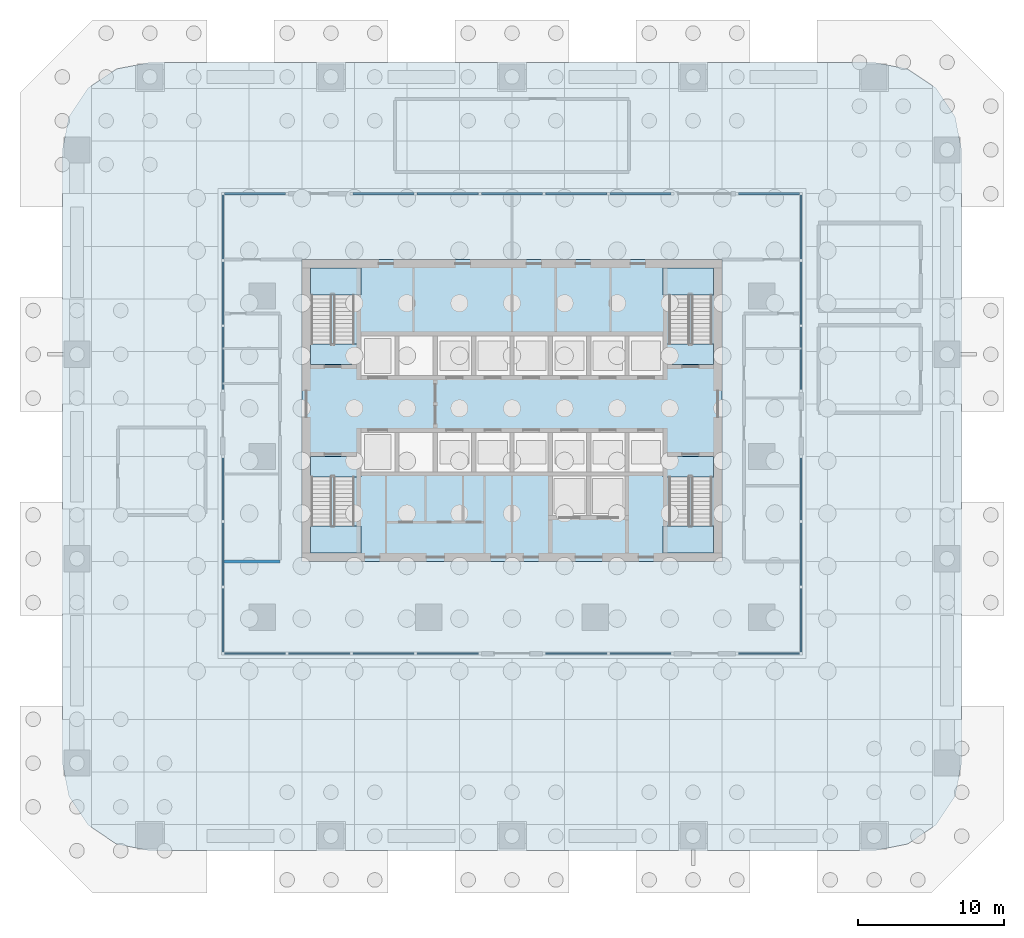
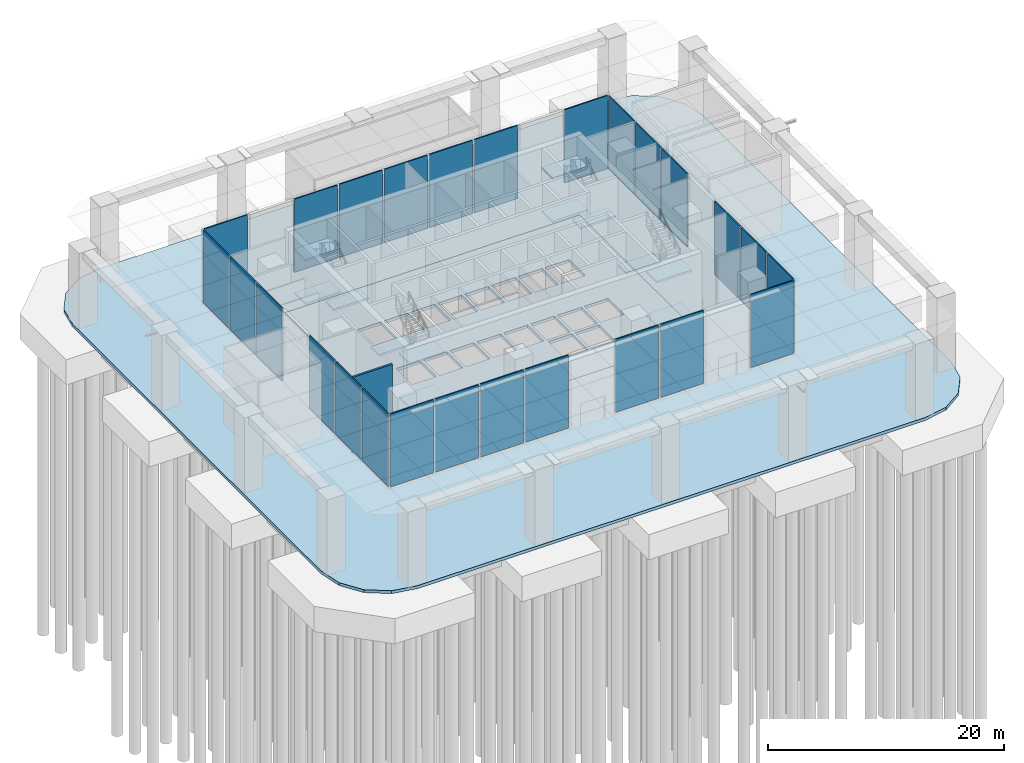
# One storey, part 5 of 18: 26 plates, 14 slabs, 1 wall, 14 elements without a shape of their own.
"""IFC4 building model written with IfcOpenShell, lengths in metres."""

from ifc_helpers import new_model, si_unit, direction, frame, frame_2d, origin, origin_2d, place, context, subcontext, project, spatial, polyline, rectangle, outline, extrude, material, layer, layer_set, type_object, element, aggregate, save


model = new_model("IFC4")

# Units and contexts
model_context = context("Model", 3, precision=1e-05, world=origin(), true_north=direction((0.0, 1.0)))
body_context = subcontext(model_context, "Body", "Model", "MODEL_VIEW")
ifc_project = project(units=[si_unit("LENGTHUNIT", "METRE"), si_unit("AREAUNIT", "SQUARE_METRE"), si_unit("VOLUMEUNIT", "CUBIC_METRE"), si_unit("PLANEANGLEUNIT", "RADIAN"), si_unit("MASSUNIT", "GRAM", prefix="KILO")], contexts=[model_context])

# Site, building, storey
site_placement = place(None, origin())
site = spatial("IfcSite", under=ifc_project, at=site_placement, CompositionType="ELEMENT")
building_placement = place(site_placement, origin())
building = spatial("IfcBuilding", under=site, at=building_placement, Name="Mopane Tessera Tower", CompositionType="ELEMENT")
storey_placement = place(building_placement, origin())
storey = spatial("IfcBuildingStorey", under=building, at=storey_placement, Name="L00", CompositionType="ELEMENT", Elevation=0.0)

# Slab
ifc_material_1 = material(Name="Concrete C40/50", Category="concrete")
ifc_layer_1 = layer(ifc_material_1, 0.300048828125)
ifc_layer_set_1 = layer_set([ifc_layer_1], Name="Concrete C40/50")
slab_type_1 = type_object("IfcSlabType", Name="Core floor slab 300 mm", PredefinedType="FLOOR", material=ifc_layer_set_1)
slab_1_placement = place(storey_placement, frame((0.0, 0.0, -0.300048828125)))
element("IfcSlab", 1, at=slab_1_placement, inside=storey, type_object=slab_type_1, Name="L00 core floor slab", PredefinedType="FLOOR", context=body_context, shape_type="SweptSolid", body=[
    extrude(outline(polyline([(-14.39990234375, -7.199951171875), (14.39990234375, -7.199951171875), (14.39990234375, 13.5), (-14.39990234375, 13.5), (-14.39990234375, -7.199951171875)]), holes=[polyline([(-10.35009765625, -1.050048828125), (-8.02490234375, -1.050048828125), (-8.02490234375, 1.64990234375), (-10.35009765625, 1.64990234375), (-10.35009765625, -1.050048828125)]), polyline([(-7.72509765625, -1.050048828125), (-5.39990234375, -1.050048828125), (-5.39990234375, 1.64990234375), (-7.72509765625, 1.64990234375), (-7.72509765625, -1.050048828125)]), polyline([(-5.10009765625, -1.050048828125), (-2.77490234375, -1.050048828125), (-2.77490234375, 1.64990234375), (-5.10009765625, 1.64990234375), (-5.10009765625, -1.050048828125)]), polyline([(-2.47509765625, -1.050048828125), (-0.14990234375, -1.050048828125), (-0.14990234375, 1.64990234375), (-2.47509765625, 1.64990234375), (-2.47509765625, -1.050048828125)]), polyline([(0.14990234375, -1.050048828125), (2.47509765625, -1.050048828125), (2.47509765625, 1.64990234375), (0.14990234375, 1.64990234375), (0.14990234375, -1.050048828125)]), polyline([(2.77490234375, -1.050048828125), (5.10009765625, -1.050048828125), (5.10009765625, 1.64990234375), (2.77490234375, 1.64990234375), (2.77490234375, -1.050048828125)]), polyline([(5.39990234375, -1.050048828125), (7.72509765625, -1.050048828125), (7.72509765625, 1.64990234375), (5.39990234375, 1.64990234375), (5.39990234375, -1.050048828125)]), polyline([(8.02490234375, -1.050048828125), (10.35009765625, -1.050048828125), (10.35009765625, 1.64990234375), (8.02490234375, 1.64990234375), (8.02490234375, -1.050048828125)]), polyline([(-10.35009765625, 5.550048828125), (-8.02490234375, 5.550048828125), (-8.02490234375, 8.25), (-10.35009765625, 8.25), (-10.35009765625, 5.550048828125)]), polyline([(-7.72509765625, 5.550048828125), (-5.39990234375, 5.550048828125), (-5.39990234375, 8.25), (-7.72509765625, 8.25), (-7.72509765625, 5.550048828125)]), polyline([(-5.10009765625, 5.550048828125), (-2.77490234375, 5.550048828125), (-2.77490234375, 8.25), (-5.10009765625, 8.25), (-5.10009765625, 5.550048828125)]), polyline([(-2.47509765625, 5.550048828125), (-0.14990234375, 5.550048828125), (-0.14990234375, 8.25), (-2.47509765625, 8.25), (-2.47509765625, 5.550048828125)]), polyline([(0.14990234375, 5.550048828125), (2.47509765625, 5.550048828125), (2.47509765625, 8.25), (0.14990234375, 8.25), (0.14990234375, 5.550048828125)]), polyline([(2.77490234375, 5.550048828125), (5.10009765625, 5.550048828125), (5.10009765625, 8.25), (2.77490234375, 8.25), (2.77490234375, 5.550048828125)]), polyline([(5.39990234375, 5.550048828125), (7.72509765625, 5.550048828125), (7.72509765625, 8.25), (5.39990234375, 8.25), (5.39990234375, 5.550048828125)]), polyline([(8.02490234375, 5.550048828125), (10.35009765625, 5.550048828125), (10.35009765625, 8.25), (8.02490234375, 8.25), (8.02490234375, 5.550048828125)]), polyline([(2.77490234375, -4.050048828125), (5.10009765625, -4.050048828125), (5.10009765625, -1.35009765625), (2.77490234375, -1.35009765625), (2.77490234375, -4.050048828125)]), polyline([(5.39990234375, -4.050048828125), (7.72509765625, -4.050048828125), (7.72509765625, -1.35009765625), (5.39990234375, -1.35009765625), (5.39990234375, -4.050048828125)])]), origin(), (0.0, 0.0, 1.0), 0.300048828125),
])

# Stair, slabs
ifc_material_2 = material(Name="Concrete C50/60", Category="concrete")
stair_type = type_object("IfcStairType", Name="Escape stair 1400 mm, riser 173 mm", PredefinedType="HALF_TURN_STAIR", material=ifc_material_2)
stair_1_placement = place(storey_placement, origin())
stair_1 = element("IfcStair", 2, at=stair_1_placement, inside=storey, type_object=stair_type, Name="L00 Escape stair south-west", PredefinedType="HALF_TURN_STAIR")
ifc_material_3 = material(Name="Concrete C50/60", Category="concrete")
ifc_layer_2 = layer(ifc_material_3, 0.199951171875)
ifc_layer_set_2 = layer_set([ifc_layer_2], Name="Concrete C50/60")
slab_type_2 = type_object("IfcSlabType", Name="Escape stair landing 200 mm", PredefinedType="LANDING", material=ifc_layer_set_2)
slab_2_placement = place(storey_placement, frame((0.0, 0.0, 2.050048828125)))
slab_2 = element("IfcSlab", 3, at=slab_2_placement, type_object=slab_type_2, Name="ST1 landing 1", PredefinedType="LANDING", context=body_context, shape_type="SweptSolid", body=[
    extrude(outline(polyline([(-13.800048828125, -4.760009765625), (-13.800048828125, -6.60009765625), (-10.35009765625, -6.60009765625), (-10.35009765625, -4.760009765625), (-13.800048828125, -4.760009765625)])), origin(), (0.0, 0.0, 1.0), 0.199951171875),
])
slab_3_placement = place(storey_placement, frame((0.0, 0.0, 4.300048828125)))
slab_3 = element("IfcSlab", 4, at=slab_3_placement, type_object=slab_type_2, Name="ST1 landing 2", PredefinedType="LANDING", context=body_context, shape_type="SweptSolid", body=[
    extrude(outline(polyline([(-13.800048828125, 0.0), (-13.800048828125, -1.39990234375), (-10.35009765625, -1.39990234375), (-10.35009765625, 0.0), (-13.800048828125, 0.0)])), origin(), (0.0, 0.0, 1.0), 0.199951171875),
])
slab_4_placement = place(storey_placement, frame((0.0, 0.0, 6.550048828125)))
slab_4 = element("IfcSlab", 5, at=slab_4_placement, type_object=slab_type_2, Name="ST1 landing 3", PredefinedType="LANDING", context=body_context, shape_type="SweptSolid", body=[
    extrude(outline(polyline([(-13.800048828125, -4.760009765625), (-13.800048828125, -6.60009765625), (-10.35009765625, -6.60009765625), (-10.35009765625, -4.760009765625), (-13.800048828125, -4.760009765625)])), origin(), (0.0, 0.0, 1.0), 0.199951171875),
])
aggregate(stair_1, [slab_2, slab_3, slab_4])

stair_2_placement = place(storey_placement, origin())
stair_2 = element("IfcStair", 6, at=stair_2_placement, inside=storey, type_object=stair_type, Name="L00 Escape stair north-west", PredefinedType="HALF_TURN_STAIR")
slab_5_placement = place(storey_placement, frame((0.0, 0.0, 2.050048828125)))
slab_5 = element("IfcSlab", 7, at=slab_5_placement, type_object=slab_type_2, Name="ST2 landing 1", PredefinedType="LANDING", context=body_context, shape_type="SweptSolid", body=[
    extrude(outline(polyline([(-10.35009765625, 11.06005859375), (-10.35009765625, 12.89990234375), (-13.800048828125, 12.89990234375), (-13.800048828125, 11.06005859375), (-10.35009765625, 11.06005859375)])), origin(), (0.0, 0.0, 1.0), 0.199951171875),
])
slab_6_placement = place(storey_placement, frame((0.0, 0.0, 4.300048828125)))
slab_6 = element("IfcSlab", 8, at=slab_6_placement, type_object=slab_type_2, Name="ST2 landing 2", PredefinedType="LANDING", context=body_context, shape_type="SweptSolid", body=[
    extrude(outline(polyline([(-10.35009765625, 6.300048828125), (-10.35009765625, 7.699951171875), (-13.800048828125, 7.699951171875), (-13.800048828125, 6.300048828125), (-10.35009765625, 6.300048828125)])), origin(), (0.0, 0.0, 1.0), 0.199951171875),
])
slab_7_placement = place(storey_placement, frame((0.0, 0.0, 6.550048828125)))
slab_7 = element("IfcSlab", 9, at=slab_7_placement, type_object=slab_type_2, Name="ST2 landing 3", PredefinedType="LANDING", context=body_context, shape_type="SweptSolid", body=[
    extrude(outline(polyline([(-10.35009765625, 11.06005859375), (-10.35009765625, 12.89990234375), (-13.800048828125, 12.89990234375), (-13.800048828125, 11.06005859375), (-10.35009765625, 11.06005859375)])), origin(), (0.0, 0.0, 1.0), 0.199951171875),
])
aggregate(stair_2, [slab_5, slab_6, slab_7])

stair_3_placement = place(storey_placement, origin())
stair_3 = element("IfcStair", 10, at=stair_3_placement, inside=storey, type_object=stair_type, Name="L00 Escape stair south-east", PredefinedType="HALF_TURN_STAIR")
slab_8_placement = place(storey_placement, frame((0.0, 0.0, 2.050048828125)))
slab_8 = element("IfcSlab", 11, at=slab_8_placement, type_object=slab_type_2, Name="ST3 landing 1", PredefinedType="LANDING", context=body_context, shape_type="SweptSolid", body=[
    extrude(outline(polyline([(10.35009765625, -4.760009765625), (10.35009765625, -6.60009765625), (13.800048828125, -6.60009765625), (13.800048828125, -4.760009765625), (10.35009765625, -4.760009765625)])), origin(), (0.0, 0.0, 1.0), 0.199951171875),
])
slab_9_placement = place(storey_placement, frame((0.0, 0.0, 4.300048828125)))
slab_9 = element("IfcSlab", 12, at=slab_9_placement, type_object=slab_type_2, Name="ST3 landing 2", PredefinedType="LANDING", context=body_context, shape_type="SweptSolid", body=[
    extrude(outline(polyline([(10.35009765625, 0.0), (10.35009765625, -1.39990234375), (13.800048828125, -1.39990234375), (13.800048828125, 0.0), (10.35009765625, 0.0)])), origin(), (0.0, 0.0, 1.0), 0.199951171875),
])
slab_10_placement = place(storey_placement, frame((0.0, 0.0, 6.550048828125)))
slab_10 = element("IfcSlab", 13, at=slab_10_placement, type_object=slab_type_2, Name="ST3 landing 3", PredefinedType="LANDING", context=body_context, shape_type="SweptSolid", body=[
    extrude(outline(polyline([(10.35009765625, -4.760009765625), (10.35009765625, -6.60009765625), (13.800048828125, -6.60009765625), (13.800048828125, -4.760009765625), (10.35009765625, -4.760009765625)])), origin(), (0.0, 0.0, 1.0), 0.199951171875),
])
aggregate(stair_3, [slab_8, slab_9, slab_10])

stair_4_placement = place(storey_placement, origin())
stair_4 = element("IfcStair", 14, at=stair_4_placement, inside=storey, type_object=stair_type, Name="L00 Escape stair north-east", PredefinedType="HALF_TURN_STAIR")
slab_11_placement = place(storey_placement, frame((0.0, 0.0, 2.050048828125)))
slab_11 = element("IfcSlab", 15, at=slab_11_placement, type_object=slab_type_2, Name="ST4 landing 1", PredefinedType="LANDING", context=body_context, shape_type="SweptSolid", body=[
    extrude(outline(polyline([(13.800048828125, 11.06005859375), (13.800048828125, 12.89990234375), (10.35009765625, 12.89990234375), (10.35009765625, 11.06005859375), (13.800048828125, 11.06005859375)])), origin(), (0.0, 0.0, 1.0), 0.199951171875),
])
slab_12_placement = place(storey_placement, frame((0.0, 0.0, 4.300048828125)))
slab_12 = element("IfcSlab", 16, at=slab_12_placement, type_object=slab_type_2, Name="ST4 landing 2", PredefinedType="LANDING", context=body_context, shape_type="SweptSolid", body=[
    extrude(outline(polyline([(13.800048828125, 6.300048828125), (13.800048828125, 7.699951171875), (10.35009765625, 7.699951171875), (10.35009765625, 6.300048828125), (13.800048828125, 6.300048828125)])), origin(), (0.0, 0.0, 1.0), 0.199951171875),
])
slab_13_placement = place(storey_placement, frame((0.0, 0.0, 6.550048828125)))
slab_13 = element("IfcSlab", 17, at=slab_13_placement, type_object=slab_type_2, Name="ST4 landing 3", PredefinedType="LANDING", context=body_context, shape_type="SweptSolid", body=[
    extrude(outline(polyline([(13.800048828125, 11.06005859375), (13.800048828125, 12.89990234375), (10.35009765625, 12.89990234375), (10.35009765625, 11.06005859375), (13.800048828125, 11.06005859375)])), origin(), (0.0, 0.0, 1.0), 0.199951171875),
])
aggregate(stair_4, [slab_11, slab_12, slab_13])

# Slab
ifc_material_4 = material(Name="Concrete C40/50", Category="concrete")
ifc_layer_3 = layer(ifc_material_4, 0.300048828125)
ifc_layer_set_3 = layer_set([ifc_layer_3], Name="Concrete C40/50")
slab_type_3 = type_object("IfcSlabType", Name="Ground slab on grade 300 mm", PredefinedType="BASESLAB", material=ifc_layer_set_3)
slab_14_placement = place(storey_placement, frame((0.0, 0.0, -0.300048828125)))
element("IfcSlab", 18, at=slab_14_placement, inside=storey, type_object=slab_type_3, Name="Floor slab L00", PredefinedType="BASESLAB", context=body_context, shape_type="SweptSolid", body=[
    extrude(outline(polyline([(-24.800048828125, -27.0), (24.800048828125, -27.0), (27.09619140625, -26.543212890625), (29.042724609375, -25.24267578125), (30.34326171875, -23.296142578125), (30.800048828125, -21.0), (30.800048828125, 21.0), (30.34326171875, 23.296142578125), (29.042724609375, 25.24267578125), (27.09619140625, 26.543212890625), (24.800048828125, 27.0), (-24.800048828125, 27.0), (-27.09619140625, 26.543212890625), (-29.042724609375, 25.24267578125), (-30.34326171875, 23.296142578125), (-30.800048828125, 21.0), (-30.800048828125, -21.0), (-30.34326171875, -23.296142578125), (-29.042724609375, -25.24267578125), (-27.09619140625, -26.543212890625), (-24.800048828125, -27.0)]), holes=[polyline([(14.39990234375, -7.199951171875), (-14.39990234375, -7.199951171875), (-14.39990234375, 13.5), (14.39990234375, 13.5), (14.39990234375, -7.199951171875)])]), origin(), (0.0, 0.0, 1.0), 0.300048828125),
])

# Curtain wall, plates
ifc_material_5 = material(Name="Aluminium frame", Category="aluminium")
curtain_wall_type = type_object("IfcCurtainWallType", Name="Stilt pavilion glazed wall", PredefinedType="NOTDEFINED", material=ifc_material_5)
curtain_wall_1_placement = place(storey_placement, origin())
curtain_wall_1 = element("IfcCurtainWall", 19, at=curtain_wall_1_placement, inside=storey, type_object=curtain_wall_type, Name="e:pv:S:0", PredefinedType="NOTDEFINED")
ifc_material_6 = material(Name="Clear laminated glass", Category="glass")
ifc_layer_4 = layer(ifc_material_6, 0.1201171875)
ifc_layer_set_4 = layer_set([ifc_layer_4], Name="Clear laminated glass")
plate_type = type_object("IfcPlateType", Name="Laminated glazed unit 120", PredefinedType="CURTAIN_PANEL", material=ifc_layer_set_4)
plate_1_placement = place(storey_placement, frame((-17.60009765625, -13.5, 0.25), z_axis=(0.0, 0.0, 1.0), x_axis=(1.0, 0.0, 0.0)))
plate_1 = element("IfcPlate", 20, at=plate_1_placement, type_object=plate_type, Name="e:pv:S:0:pn0", PredefinedType="CURTAIN_PANEL", context=body_context, shape_type="SweptSolid", body=[
    extrude(rectangle(XDim=4.199951171875, YDim=0.1201171875, at=origin_2d()), origin(), (0.0, 0.0, 1.0), 7.550048828125),
])
plate_2_placement = place(storey_placement, frame((-13.199951171875, -13.5, 0.25), z_axis=(0.0, 0.0, 1.0), x_axis=(1.0, 0.0, 0.0)))
plate_2 = element("IfcPlate", 21, at=plate_2_placement, type_object=plate_type, Name="e:pv:S:0:pn1", PredefinedType="CURTAIN_PANEL", context=body_context, shape_type="SweptSolid", body=[
    extrude(rectangle(XDim=4.199951171875, YDim=0.1201171875, at=origin_2d()), origin(), (0.0, 0.0, 1.0), 7.550048828125),
])
plate_3_placement = place(storey_placement, frame((-8.800048828125, -13.5, 0.25), z_axis=(0.0, 0.0, 1.0), x_axis=(1.0, 0.0, 0.0)))
plate_3 = element("IfcPlate", 22, at=plate_3_placement, type_object=plate_type, Name="e:pv:S:0:pn2", PredefinedType="CURTAIN_PANEL", context=body_context, shape_type="SweptSolid", body=[
    extrude(rectangle(XDim=4.199951171875, YDim=0.1201171875, at=origin_2d()), origin(), (0.0, 0.0, 1.0), 7.550048828125),
])
plate_4_placement = place(storey_placement, frame((-4.39990234375, -13.5, 0.25), z_axis=(0.0, 0.0, 1.0), x_axis=(1.0, 0.0, 0.0)))
plate_4 = element("IfcPlate", 23, at=plate_4_placement, type_object=plate_type, Name="e:pv:S:0:pn3", PredefinedType="CURTAIN_PANEL", context=body_context, shape_type="SweptSolid", body=[
    extrude(rectangle(XDim=4.199951171875, YDim=0.1201171875, at=origin_2d()), origin(), (0.0, 0.0, 1.0), 7.550048828125),
])
aggregate(curtain_wall_1, [plate_1, plate_2, plate_3, plate_4])

curtain_wall_2_placement = place(storey_placement, origin())
curtain_wall_2 = element("IfcCurtainWall", 24, at=curtain_wall_2_placement, inside=storey, type_object=curtain_wall_type, Name="e:pv:S:5", PredefinedType="NOTDEFINED")
plate_5_placement = place(storey_placement, frame((4.39990234375, -13.5, 0.25), z_axis=(0.0, 0.0, 1.0), x_axis=(1.0, 0.0, 0.0)))
plate_5 = element("IfcPlate", 25, at=plate_5_placement, type_object=plate_type, Name="e:pv:S:5:pn5", PredefinedType="CURTAIN_PANEL", context=body_context, shape_type="SweptSolid", body=[
    extrude(rectangle(XDim=4.199951171875, YDim=0.1201171875, at=origin_2d()), origin(), (0.0, 0.0, 1.0), 7.550048828125),
])
plate_6_placement = place(storey_placement, frame((8.800048828125, -13.5, 0.25), z_axis=(0.0, 0.0, 1.0), x_axis=(1.0, 0.0, 0.0)))
plate_6 = element("IfcPlate", 26, at=plate_6_placement, type_object=plate_type, Name="e:pv:S:5:pn6", PredefinedType="CURTAIN_PANEL", context=body_context, shape_type="SweptSolid", body=[
    extrude(rectangle(XDim=4.199951171875, YDim=0.1201171875, at=origin_2d()), origin(), (0.0, 0.0, 1.0), 7.550048828125),
])
aggregate(curtain_wall_2, [plate_5, plate_6])

# Curtain wall, plate
curtain_wall_3_placement = place(storey_placement, origin())
curtain_wall_3 = element("IfcCurtainWall", 27, at=curtain_wall_3_placement, inside=storey, type_object=curtain_wall_type, Name="e:pv:S:8", PredefinedType="NOTDEFINED")
plate_7_placement = place(storey_placement, frame((17.60009765625, -13.5, 0.25), z_axis=(0.0, 0.0, 1.0), x_axis=(1.0, 0.0, 0.0)))
plate_7 = element("IfcPlate", 28, at=plate_7_placement, type_object=plate_type, Name="e:pv:S:8:pn8", PredefinedType="CURTAIN_PANEL", context=body_context, shape_type="SweptSolid", body=[
    extrude(rectangle(XDim=4.199951171875, YDim=0.1201171875, at=origin_2d()), origin(), (0.0, 0.0, 1.0), 7.550048828125),
])
aggregate(curtain_wall_3, [plate_7])

# Curtain wall, plates
curtain_wall_4_placement = place(storey_placement, origin())
curtain_wall_4 = element("IfcCurtainWall", 29, at=curtain_wall_4_placement, inside=storey, type_object=curtain_wall_type, Name="e:pv:E:0", PredefinedType="NOTDEFINED")
plate_8_placement = place(storey_placement, frame((19.800048828125, -11.21435546875, 0.25), z_axis=(0.0, 0.0, 1.0), x_axis=(0.0, 1.0, 0.0)))
plate_8 = element("IfcPlate", 30, at=plate_8_placement, type_object=plate_type, Name="e:pv:E:0:pn0", PredefinedType="CURTAIN_PANEL", context=body_context, shape_type="SweptSolid", body=[
    extrude(rectangle(XDim=4.371337890625, YDim=0.1201171875, at=origin_2d()), origin(), (0.0, 0.0, 1.0), 7.550048828125),
])
plate_9_placement = place(storey_placement, frame((19.800048828125, -6.69287109375, 0.25), z_axis=(0.0, 0.0, 1.0), x_axis=(0.0, 1.0, 0.0)))
plate_9 = element("IfcPlate", 31, at=plate_9_placement, type_object=plate_type, Name="e:pv:E:0:pn1", PredefinedType="CURTAIN_PANEL", context=body_context, shape_type="SweptSolid", body=[
    extrude(rectangle(XDim=4.271484375, YDim=0.1201171875, at=origin_2d()), origin(), (0.0, 0.0, 1.0), 7.550048828125),
])
plate_10_placement = place(storey_placement, frame((19.800048828125, -2.221435546875, 0.25), z_axis=(0.0, 0.0, 1.0), x_axis=(0.0, 1.0, 0.0)))
plate_10 = element("IfcPlate", 32, at=plate_10_placement, type_object=plate_type, Name="e:pv:E:0:pn2", PredefinedType="CURTAIN_PANEL", context=body_context, shape_type="SweptSolid", body=[
    extrude(rectangle(XDim=4.271484375, YDim=0.1201171875, at=origin_2d()), origin(), (0.0, 0.0, 1.0), 7.550048828125),
])
aggregate(curtain_wall_4, [plate_8, plate_9, plate_10])

curtain_wall_5_placement = place(storey_placement, origin())
curtain_wall_5 = element("IfcCurtainWall", 33, at=curtain_wall_5_placement, inside=storey, type_object=curtain_wall_type, Name="e:pv:E:4", PredefinedType="NOTDEFINED")
plate_11_placement = place(storey_placement, frame((19.800048828125, 6.721435546875, 0.25), z_axis=(0.0, 0.0, 1.0), x_axis=(0.0, 1.0, 0.0)))
plate_11 = element("IfcPlate", 34, at=plate_11_placement, type_object=plate_type, Name="e:pv:E:4:pn4", PredefinedType="CURTAIN_PANEL", context=body_context, shape_type="SweptSolid", body=[
    extrude(rectangle(XDim=4.271484375, YDim=0.1201171875, at=origin_2d()), origin(), (0.0, 0.0, 1.0), 7.550048828125),
])
plate_12_placement = place(storey_placement, frame((19.800048828125, 11.19287109375, 0.25), z_axis=(0.0, 0.0, 1.0), x_axis=(0.0, 1.0, 0.0)))
plate_12 = element("IfcPlate", 35, at=plate_12_placement, type_object=plate_type, Name="e:pv:E:4:pn5", PredefinedType="CURTAIN_PANEL", context=body_context, shape_type="SweptSolid", body=[
    extrude(rectangle(XDim=4.271484375, YDim=0.1201171875, at=origin_2d()), origin(), (0.0, 0.0, 1.0), 7.550048828125),
])
plate_13_placement = place(storey_placement, frame((19.800048828125, 15.71435546875, 0.25), z_axis=(0.0, 0.0, 1.0), x_axis=(0.0, 1.0, 0.0)))
plate_13 = element("IfcPlate", 36, at=plate_13_placement, type_object=plate_type, Name="e:pv:E:4:pn6", PredefinedType="CURTAIN_PANEL", context=body_context, shape_type="SweptSolid", body=[
    extrude(rectangle(XDim=4.371337890625, YDim=0.1201171875, at=origin_2d()), origin(), (0.0, 0.0, 1.0), 7.550048828125),
])
aggregate(curtain_wall_5, [plate_11, plate_12, plate_13])

# Curtain wall, plate
curtain_wall_6_placement = place(storey_placement, origin())
curtain_wall_6 = element("IfcCurtainWall", 37, at=curtain_wall_6_placement, inside=storey, type_object=curtain_wall_type, Name="e:pv:N:0", PredefinedType="NOTDEFINED")
plate_14_placement = place(storey_placement, frame((-17.60009765625, 18.0, 0.25), z_axis=(0.0, 0.0, 1.0), x_axis=(1.0, 0.0, 0.0)))
plate_14 = element("IfcPlate", 38, at=plate_14_placement, type_object=plate_type, Name="e:pv:N:0:pn0", PredefinedType="CURTAIN_PANEL", context=body_context, shape_type="SweptSolid", body=[
    extrude(rectangle(XDim=4.199951171875, YDim=0.1201171875, at=origin_2d()), origin(), (0.0, 0.0, 1.0), 7.550048828125),
])
aggregate(curtain_wall_6, [plate_14])

# Curtain wall, plates
curtain_wall_7_placement = place(storey_placement, origin())
curtain_wall_7 = element("IfcCurtainWall", 39, at=curtain_wall_7_placement, inside=storey, type_object=curtain_wall_type, Name="e:pv:N:2", PredefinedType="NOTDEFINED")
plate_15_placement = place(storey_placement, frame((-8.800048828125, 18.0, 0.25), z_axis=(0.0, 0.0, 1.0), x_axis=(1.0, 0.0, 0.0)))
plate_15 = element("IfcPlate", 40, at=plate_15_placement, type_object=plate_type, Name="e:pv:N:2:pn2", PredefinedType="CURTAIN_PANEL", context=body_context, shape_type="SweptSolid", body=[
    extrude(rectangle(XDim=4.199951171875, YDim=0.1201171875, at=origin_2d()), origin(), (0.0, 0.0, 1.0), 7.550048828125),
])
plate_16_placement = place(storey_placement, frame((-4.39990234375, 18.0, 0.25), z_axis=(0.0, 0.0, 1.0), x_axis=(1.0, 0.0, 0.0)))
plate_16 = element("IfcPlate", 41, at=plate_16_placement, type_object=plate_type, Name="e:pv:N:2:pn3", PredefinedType="CURTAIN_PANEL", context=body_context, shape_type="SweptSolid", body=[
    extrude(rectangle(XDim=4.199951171875, YDim=0.1201171875, at=origin_2d()), origin(), (0.0, 0.0, 1.0), 7.550048828125),
])
plate_17_placement = place(storey_placement, frame((0.0, 18.0, 0.25), z_axis=(0.0, 0.0, 1.0), x_axis=(1.0, 0.0, 0.0)))
plate_17 = element("IfcPlate", 42, at=plate_17_placement, type_object=plate_type, Name="e:pv:N:2:pn4", PredefinedType="CURTAIN_PANEL", context=body_context, shape_type="SweptSolid", body=[
    extrude(rectangle(XDim=4.199951171875, YDim=0.1201171875, at=origin_2d()), origin(), (0.0, 0.0, 1.0), 7.550048828125),
])
plate_18_placement = place(storey_placement, frame((4.39990234375, 18.0, 0.25), z_axis=(0.0, 0.0, 1.0), x_axis=(1.0, 0.0, 0.0)))
plate_18 = element("IfcPlate", 43, at=plate_18_placement, type_object=plate_type, Name="e:pv:N:2:pn5", PredefinedType="CURTAIN_PANEL", context=body_context, shape_type="SweptSolid", body=[
    extrude(rectangle(XDim=4.199951171875, YDim=0.1201171875, at=origin_2d()), origin(), (0.0, 0.0, 1.0), 7.550048828125),
])
plate_19_placement = place(storey_placement, frame((8.800048828125, 18.0, 0.25), z_axis=(0.0, 0.0, 1.0), x_axis=(1.0, 0.0, 0.0)))
plate_19 = element("IfcPlate", 44, at=plate_19_placement, type_object=plate_type, Name="e:pv:N:2:pn6", PredefinedType="CURTAIN_PANEL", context=body_context, shape_type="SweptSolid", body=[
    extrude(rectangle(XDim=4.199951171875, YDim=0.1201171875, at=origin_2d()), origin(), (0.0, 0.0, 1.0), 7.550048828125),
])
aggregate(curtain_wall_7, [plate_15, plate_16, plate_17, plate_18, plate_19])

# Curtain wall, plate
curtain_wall_8_placement = place(storey_placement, origin())
curtain_wall_8 = element("IfcCurtainWall", 45, at=curtain_wall_8_placement, inside=storey, type_object=curtain_wall_type, Name="e:pv:N:8", PredefinedType="NOTDEFINED")
plate_20_placement = place(storey_placement, frame((17.60009765625, 18.0, 0.25), z_axis=(0.0, 0.0, 1.0), x_axis=(1.0, 0.0, 0.0)))
plate_20 = element("IfcPlate", 46, at=plate_20_placement, type_object=plate_type, Name="e:pv:N:8:pn8", PredefinedType="CURTAIN_PANEL", context=body_context, shape_type="SweptSolid", body=[
    extrude(rectangle(XDim=4.199951171875, YDim=0.1201171875, at=origin_2d()), origin(), (0.0, 0.0, 1.0), 7.550048828125),
])
aggregate(curtain_wall_8, [plate_20])

# Curtain wall, plates
curtain_wall_9_placement = place(storey_placement, origin())
curtain_wall_9 = element("IfcCurtainWall", 47, at=curtain_wall_9_placement, inside=storey, type_object=curtain_wall_type, Name="e:pv:W:0", PredefinedType="NOTDEFINED")
plate_21_placement = place(storey_placement, frame((-19.800048828125, -11.21435546875, 0.25), z_axis=(0.0, 0.0, 1.0), x_axis=(0.0, 1.0, 0.0)))
plate_21 = element("IfcPlate", 48, at=plate_21_placement, type_object=plate_type, Name="e:pv:W:0:pn0", PredefinedType="CURTAIN_PANEL", context=body_context, shape_type="SweptSolid", body=[
    extrude(rectangle(XDim=4.371337890625, YDim=0.1201171875, at=origin_2d()), origin(), (0.0, 0.0, 1.0), 7.550048828125),
])
plate_22_placement = place(storey_placement, frame((-19.800048828125, -6.69287109375, 0.25), z_axis=(0.0, 0.0, 1.0), x_axis=(0.0, 1.0, 0.0)))
plate_22 = element("IfcPlate", 49, at=plate_22_placement, type_object=plate_type, Name="e:pv:W:0:pn1", PredefinedType="CURTAIN_PANEL", context=body_context, shape_type="SweptSolid", body=[
    extrude(rectangle(XDim=4.271484375, YDim=0.1201171875, at=origin_2d()), origin(), (0.0, 0.0, 1.0), 7.550048828125),
])
plate_23_placement = place(storey_placement, frame((-19.800048828125, -2.221435546875, 0.25), z_axis=(0.0, 0.0, 1.0), x_axis=(0.0, 1.0, 0.0)))
plate_23 = element("IfcPlate", 50, at=plate_23_placement, type_object=plate_type, Name="e:pv:W:0:pn2", PredefinedType="CURTAIN_PANEL", context=body_context, shape_type="SweptSolid", body=[
    extrude(rectangle(XDim=4.271484375, YDim=0.1201171875, at=origin_2d()), origin(), (0.0, 0.0, 1.0), 7.550048828125),
])
aggregate(curtain_wall_9, [plate_21, plate_22, plate_23])

curtain_wall_10_placement = place(storey_placement, origin())
curtain_wall_10 = element("IfcCurtainWall", 51, at=curtain_wall_10_placement, inside=storey, type_object=curtain_wall_type, Name="e:pv:W:4", PredefinedType="NOTDEFINED")
plate_24_placement = place(storey_placement, frame((-19.800048828125, 6.721435546875, 0.25), z_axis=(0.0, 0.0, 1.0), x_axis=(0.0, 1.0, 0.0)))
plate_24 = element("IfcPlate", 52, at=plate_24_placement, type_object=plate_type, Name="e:pv:W:4:pn4", PredefinedType="CURTAIN_PANEL", context=body_context, shape_type="SweptSolid", body=[
    extrude(rectangle(XDim=4.271484375, YDim=0.1201171875, at=origin_2d()), origin(), (0.0, 0.0, 1.0), 7.550048828125),
])
plate_25_placement = place(storey_placement, frame((-19.800048828125, 11.19287109375, 0.25), z_axis=(0.0, 0.0, 1.0), x_axis=(0.0, 1.0, 0.0)))
plate_25 = element("IfcPlate", 53, at=plate_25_placement, type_object=plate_type, Name="e:pv:W:4:pn5", PredefinedType="CURTAIN_PANEL", context=body_context, shape_type="SweptSolid", body=[
    extrude(rectangle(XDim=4.271484375, YDim=0.1201171875, at=origin_2d()), origin(), (0.0, 0.0, 1.0), 7.550048828125),
])
plate_26_placement = place(storey_placement, frame((-19.800048828125, 15.71435546875, 0.25), z_axis=(0.0, 0.0, 1.0), x_axis=(0.0, 1.0, 0.0)))
plate_26 = element("IfcPlate", 54, at=plate_26_placement, type_object=plate_type, Name="e:pv:W:4:pn6", PredefinedType="CURTAIN_PANEL", context=body_context, shape_type="SweptSolid", body=[
    extrude(rectangle(XDim=4.371337890625, YDim=0.1201171875, at=origin_2d()), origin(), (0.0, 0.0, 1.0), 7.550048828125),
])
aggregate(curtain_wall_10, [plate_24, plate_25, plate_26])

# Wall
ifc_material_7 = material(Name="Gypsum board on steel studs, two layers each face, mineral wool infill", Category="steel")
ifc_layer_5 = layer(ifc_material_7, 0.199951171875)
ifc_layer_set_5 = layer_set([ifc_layer_5], Name="Gypsum board on steel studs, two layers each face, mineral wool infill")
wall_type = type_object("IfcWallType", Name="Gypsum board corridor wall 200, rated EI 60", PredefinedType="PARTITIONING", material=ifc_layer_set_5)
wall_placement = place(storey_placement, frame((-19.800048828125, -7.199951171875, 0.0), z_axis=(0.0, 0.0, 1.0), x_axis=(1.0, 0.0, 0.0)))
element("IfcWall", 55, at=wall_placement, inside=storey, type_object=wall_type, Name="Partition L00:000", PredefinedType="PARTITIONING", context=body_context, shape_type="SweptSolid", body=[
    extrude(rectangle(XDim=3.900146484375, YDim=0.199951171875, at=frame_2d((1.9501953125, 0.0))), origin(), (0.0, 0.0, 1.0), 7.800048828125),
])

save(model, "model.ifc")
